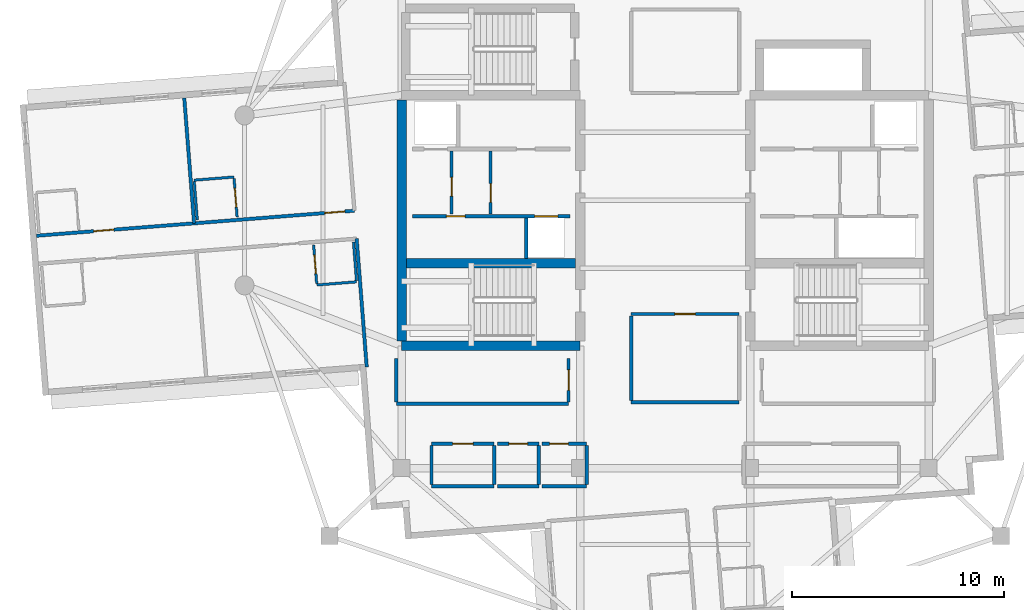
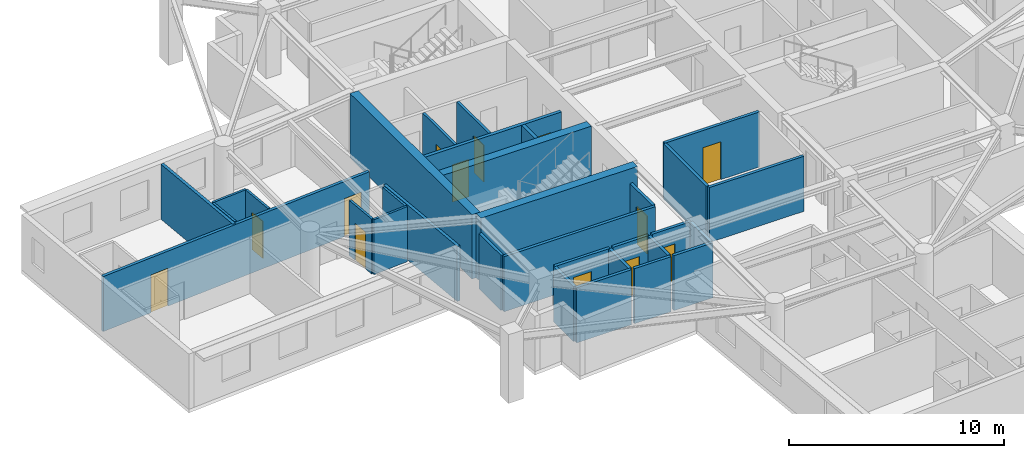
# One storey, part 4 of 13: 32 walls, 13 doors, 13 openings.
"""IFC4 building model written with IfcOpenShell, lengths in metres."""

from ifc_helpers import new_model, si_unit, direction, frame, frame_2d, origin, place, context, subcontext, project, spatial, rectangle, extrude, material, layer, layer_set, type_object, element, fill, save


model = new_model("IFC4")

# Units and contexts
model_context = context("Model", 3, precision=1e-05, world=origin(), true_north=direction((0.0, 1.0)))
body_context = subcontext(model_context, "Body", "Model", "MODEL_VIEW")
ifc_project = project(units=[si_unit("LENGTHUNIT", "METRE"), si_unit("AREAUNIT", "SQUARE_METRE"), si_unit("VOLUMEUNIT", "CUBIC_METRE"), si_unit("PLANEANGLEUNIT", "RADIAN"), si_unit("MASSUNIT", "GRAM", prefix="KILO")], contexts=[model_context])

# Site, building, storey
site_placement = place(None, origin())
site = spatial("IfcSite", under=ifc_project, at=site_placement, CompositionType="ELEMENT")
building_placement = place(site_placement, origin())
building = spatial("IfcBuilding", under=site, at=building_placement, Name="Qingluan Cross Belvedere", CompositionType="ELEMENT")
storey_placement = place(building_placement, frame((0.0, 0.0, 285.0)))
storey = spatial("IfcBuildingStorey", under=building, at=storey_placement, Name="L71", CompositionType="ELEMENT", Elevation=285.0)

# Walls
ifc_material_1 = material(Name="Concrete C50", Category="concrete")
ifc_layer_1 = layer(ifc_material_1, 0.449951171875, Name="CoreShearWall_450")
ifc_layer_set_1 = layer_set([ifc_layer_1], Name="Concrete C50")
wall_type_1 = type_object("IfcWallType", Name="CoreShearWall_450", PredefinedType="SHEAR", material=ifc_layer_set_1)
wall_1_placement = place(storey_placement, frame((-12.39990234375, -6.85009765625, 0.0), z_axis=(0.0, 0.0, 1.0), x_axis=(1.0, 0.0, 0.0)))
element("IfcWall", 1, at=wall_1_placement, inside=storey, type_object=wall_type_1, Name="Split core W shear wall L71-S", PredefinedType="SHEAR", context=body_context, shape_type="SweptSolid", body=[
    extrude(rectangle(XDim=8.39990234375, YDim=0.449951171875, at=frame_2d((4.199951171875, 0.0))), origin(), (0.0, 0.0, 1.0), 3.64990234375),
])
wall_2_placement = place(storey_placement, frame((-12.39990234375, -6.6201171875, 0.0), z_axis=(0.0, 0.0, 1.0), x_axis=(0.0, 1.0, 0.0)))
element("IfcWall", 2, at=wall_2_placement, inside=storey, type_object=wall_type_1, Name="Split core W shear wall L71-W", PredefinedType="SHEAR", context=body_context, shape_type="SweptSolid", body=[
    extrude(rectangle(XDim=11.340087890625, YDim=0.449951171875, at=frame_2d((5.669921875, 0.0))), origin(), (0.0, 0.0, 1.0), 3.64990234375),
])
wall_3_placement = place(storey_placement, frame((-12.169921875, -2.9599609375, 0.0), z_axis=(0.0, 0.0, 1.0), x_axis=(1.0, 0.0, 0.0)))
element("IfcWall", 3, at=wall_3_placement, inside=storey, type_object=wall_type_1, Name="Split core W shear wall L71-M", PredefinedType="SHEAR", context=body_context, shape_type="SweptSolid", body=[
    extrude(rectangle(XDim=7.93994140625, YDim=0.449951171875, at=frame_2d((3.969970703125, 0.0))), origin(), (0.0, 0.0, 1.0), 3.64990234375),
])

# Wall, opening, door
ifc_material_2 = material(Name="Gypsum plasterboard on steel stud acoustic partition", Category="steel")
ifc_layer_2 = layer(ifc_material_2, 0.159912109375, Name="CorridorPartition_160")
ifc_layer_set_2 = layer_set([ifc_layer_2], Name="Gypsum plasterboard on steel stud acoustic partition")
wall_type_2 = type_object("IfcWallType", Name="CorridorPartition_160", PredefinedType="PARTITIONING", material=ifc_layer_set_2)
wall_4_placement = place(storey_placement, frame((-10.050048828125, -0.652099609375, 0.0), z_axis=(0.0, 0.0, 1.0), x_axis=(0.0, 1.0, 0.0)))
wall_4 = element("IfcWall", 4, at=wall_4_placement, inside=storey, type_object=wall_type_2, Name="Partition L71:wv", PredefinedType="PARTITIONING", context=body_context, shape_type="SweptSolid", body=[
    extrude(rectangle(XDim=2.962158203125, YDim=0.139892578125, at=frame_2d((1.48095703125, 0.0))), origin(), (0.0, 0.0, 1.0), 3.1201171875),
])
opening_1_placement = place(wall_4_placement, frame((0.85009765625, 0.0, 0.0)))
opening_1 = element("IfcOpeningElement", 5, at=opening_1_placement, cuts=wall_4, Name="Opening FD-B10", PredefinedType="OPENING", context=body_context, shape_type="SweptSolid", body=[
    extrude(rectangle(XDim=0.8798828125, YDim=2.10009765625, at=frame_2d((0.43994140625, 1.050048828125))), frame((0.0, 0.079833984375, 0.0), z_axis=(0.0, -1.0, 0.0), x_axis=(1.0, 0.0, 0.0)), (0.0, 0.0, 1.0), 0.159912109375),
])
ifc_material_3 = material(Name="Steel Class B service fire door", Category="steel")
door_type_1 = type_object("IfcDoorType", Name="RiserServiceFireDoor_FDB", OperationType="NOTDEFINED", PredefinedType="DOOR", material=ifc_material_3)
door_1_placement = place(opening_1_placement, origin())
door_1 = element("IfcDoor", 6, at=door_1_placement, inside=storey, type_object=door_type_1, Name="Service closet inner door L71", OperationType="SINGLE_SWING_RIGHT", OverallHeight=2.10009765625, OverallWidth=0.8798828125, PredefinedType="DOOR", context=body_context, shape_type="SweptSolid", body=[
    extrude(rectangle(XDim=0.8798828125, YDim=2.10009765625, at=frame_2d((0.43994140625, 1.050048828125))), frame((0.0, 0.02490234375, 0.0), z_axis=(0.0, -1.0, 0.0), x_axis=(1.0, 0.0, 0.0)), (0.0, 0.0, 1.0), 0.050048828125),
])
fill(opening_1, door_1)

# Wall
wall_5_placement = place(storey_placement, frame((-11.0, -13.449951171875, 0.0), z_axis=(0.0, 0.0, 1.0), x_axis=(1.0, 0.0, 0.0)))
element("IfcWall", 7, at=wall_5_placement, inside=storey, type_object=wall_type_2, Name="Partition L71:q_sw_occ:S", PredefinedType="PARTITIONING", context=body_context, shape_type="SweptSolid", body=[
    extrude(rectangle(XDim=2.949951171875, YDim=0.159912109375, at=frame_2d((1.47509765625, 0.0))), origin(), (0.0, 0.0, 1.0), 3.1201171875),
])

# Wall, opening, door
wall_6_placement = place(storey_placement, frame((-11.0, -11.449951171875, 0.0), z_axis=(0.0, 0.0, 1.0), x_axis=(1.0, 0.0, 0.0)))
wall_6 = element("IfcWall", 8, at=wall_6_placement, inside=storey, type_object=wall_type_2, Name="Partition L71:q_sw_occ:N", PredefinedType="PARTITIONING", context=body_context, shape_type="SweptSolid", body=[
    extrude(rectangle(XDim=2.949951171875, YDim=0.159912109375, at=frame_2d((1.47509765625, 0.0))), origin(), (0.0, 0.0, 1.0), 3.1201171875),
])
opening_2_placement = place(wall_6_placement, frame((0.9951171875, 0.0, 0.0)))
opening_2 = element("IfcOpeningElement", 9, at=opening_2_placement, cuts=wall_6, Name="Opening GD-10", PredefinedType="OPENING", context=body_context, shape_type="SweptSolid", body=[
    extrude(rectangle(XDim=0.9599609375, YDim=2.14990234375, at=frame_2d((0.47998046875, 1.074951171875))), frame((0.0, 0.08984375, 0.0), z_axis=(0.0, -1.0, 0.0), x_axis=(1.0, 0.0, 0.0)), (0.0, 0.0, 1.0), 0.179931640625),
])
ifc_material_4 = material(Name="Timber oak fire-rated acoustic guestroom door", Category="wood")
door_type_2 = type_object("IfcDoorType", Name="GuestEntryDoor_FD60", OperationType="NOTDEFINED", PredefinedType="DOOR", material=ifc_material_4)
door_2_placement = place(opening_2_placement, origin())
door_2 = element("IfcDoor", 10, at=door_2_placement, inside=storey, type_object=door_type_2, Name="Summit private office L71 door", OperationType="SINGLE_SWING_LEFT", OverallHeight=2.14990234375, OverallWidth=0.9599609375, PredefinedType="DOOR", context=body_context, shape_type="SweptSolid", body=[
    extrude(rectangle(XDim=0.9599609375, YDim=2.14990234375, at=frame_2d((0.47998046875, 1.074951171875))), frame((0.0, 0.02490234375, 0.0), z_axis=(0.0, -1.0, 0.0), x_axis=(1.0, 0.0, 0.0)), (0.0, 0.0, 1.0), 0.050048828125),
])
fill(opening_2, door_2)

# Walls
for number, where, z_axis, x_axis, name in (
    (11, (-11.0, -13.364990234375, 0.0), (0.0, 0.0, 1.0), (0.0, 1.0, 0.0), "Partition L71:q_sw_occ:W"),
    (12, (-8.050048828125, -13.364990234375, 0.0), (0.0, 0.0, 1.0), (0.0, 1.0, 0.0), "Partition L71:q_sw_occ:E"),
):
    element("IfcWall", number, at=place(storey_placement, frame(where, z_axis=z_axis, x_axis=x_axis)), inside=storey, type_object=wall_type_2, Name=name, PredefinedType="PARTITIONING", context=body_context, shape_type="SweptSolid", body=[
        extrude(rectangle(XDim=1.830078125, YDim=0.159912109375, at=frame_2d((0.9150390625, 0.0))), origin(), (0.0, 0.0, 1.0), 3.1201171875),
    ])
wall_7_placement = place(storey_placement, frame((-7.889892578125, -13.449951171875, 0.0), z_axis=(0.0, 0.0, 1.0), x_axis=(1.0, 0.0, 0.0)))
element("IfcWall", 13, at=wall_7_placement, inside=storey, type_object=wall_type_2, Name="Partition L71:hk_linen:S", PredefinedType="PARTITIONING", context=body_context, shape_type="SweptSolid", body=[
    extrude(rectangle(XDim=1.93994140625, YDim=0.159912109375, at=frame_2d((0.969970703125, 0.0))), origin(), (0.0, 0.0, 1.0), 3.1201171875),
])

# Wall, opening, door
wall_8_placement = place(storey_placement, frame((-7.889892578125, -11.449951171875, 0.0), z_axis=(0.0, 0.0, 1.0), x_axis=(1.0, 0.0, 0.0)))
wall_8 = element("IfcWall", 14, at=wall_8_placement, inside=storey, type_object=wall_type_2, Name="Partition L71:hk_linen:N", PredefinedType="PARTITIONING", context=body_context, shape_type="SweptSolid", body=[
    extrude(rectangle(XDim=1.93994140625, YDim=0.159912109375, at=frame_2d((0.969970703125, 0.0))), origin(), (0.0, 0.0, 1.0), 3.1201171875),
])
opening_3_placement = place(wall_8_placement, frame((0.530029296875, 0.0, 0.0)))
opening_3 = element("IfcOpeningElement", 15, at=opening_3_placement, cuts=wall_8, Name="Opening FD-B10", PredefinedType="OPENING", context=body_context, shape_type="SweptSolid", body=[
    extrude(rectangle(XDim=0.8798828125, YDim=2.10009765625, at=frame_2d((0.43994140625, 1.050048828125))), frame((0.0, 0.08984375, 0.0), z_axis=(0.0, -1.0, 0.0), x_axis=(1.0, 0.0, 0.0)), (0.0, 0.0, 1.0), 0.179931640625),
])
door_3_placement = place(opening_3_placement, origin())
door_3 = element("IfcDoor", 16, at=door_3_placement, inside=storey, type_object=door_type_1, Name="Housekeeping and linen store L71 door", OperationType="SINGLE_SWING_RIGHT", OverallHeight=2.10009765625, OverallWidth=0.8798828125, PredefinedType="DOOR", context=body_context, shape_type="SweptSolid", body=[
    extrude(rectangle(XDim=0.8798828125, YDim=2.10009765625, at=frame_2d((0.43994140625, 1.050048828125))), frame((0.0, 0.02490234375, 0.0), z_axis=(0.0, -1.0, 0.0), x_axis=(1.0, 0.0, 0.0)), (0.0, 0.0, 1.0), 0.050048828125),
])
fill(opening_3, door_3)

# Walls
wall_9_placement = place(storey_placement, frame((-5.949951171875, -13.364990234375, 0.0), z_axis=(0.0, 0.0, 1.0), x_axis=(0.0, 1.0, 0.0)))
element("IfcWall", 17, at=wall_9_placement, inside=storey, type_object=wall_type_2, Name="Partition L71:hk_linen:E", PredefinedType="PARTITIONING", context=body_context, shape_type="SweptSolid", body=[
    extrude(rectangle(XDim=1.830078125, YDim=0.159912109375, at=frame_2d((0.9150390625, 0.0))), origin(), (0.0, 0.0, 1.0), 3.1201171875),
])
wall_10_placement = place(storey_placement, frame((-5.7900390625, -13.449951171875, 0.0), z_axis=(0.0, 0.0, 1.0), x_axis=(1.0, 0.0, 0.0)))
element("IfcWall", 18, at=wall_10_placement, inside=storey, type_object=wall_type_2, Name="Partition L71:floor_acc_wc:S", PredefinedType="PARTITIONING", context=body_context, shape_type="SweptSolid", body=[
    extrude(rectangle(XDim=2.090087890625, YDim=0.159912109375, at=frame_2d((1.044921875, 0.0))), origin(), (0.0, 0.0, 1.0), 3.1201171875),
])

# Wall, opening, door
wall_11_placement = place(storey_placement, frame((-5.7900390625, -11.449951171875, 0.0), z_axis=(0.0, 0.0, 1.0), x_axis=(1.0, 0.0, 0.0)))
wall_11 = element("IfcWall", 19, at=wall_11_placement, inside=storey, type_object=wall_type_2, Name="Partition L71:floor_acc_wc:N", PredefinedType="PARTITIONING", context=body_context, shape_type="SweptSolid", body=[
    extrude(rectangle(XDim=2.090087890625, YDim=0.159912109375, at=frame_2d((1.044921875, 0.0))), origin(), (0.0, 0.0, 1.0), 3.1201171875),
])
opening_4_placement = place(wall_11_placement, frame((0.35009765625, 0.0, 0.0)))
opening_4 = element("IfcOpeningElement", 20, at=opening_4_placement, cuts=wall_11, Name="Opening BD-08", PredefinedType="OPENING", context=body_context, shape_type="SweptSolid", body=[
    extrude(rectangle(XDim=0.8798828125, YDim=2.14990234375, at=frame_2d((0.43994140625, 1.074951171875))), frame((0.0, 0.08984375, 0.0), z_axis=(0.0, -1.0, 0.0), x_axis=(1.0, 0.0, 0.0)), (0.0, 0.0, 1.0), 0.179931640625),
])
ifc_material_5 = material(Name="Moisture-sealed timber accessible WC door", Category="wood")
door_type_3 = type_object("IfcDoorType", Name="AccessibleWCDoor_880", OperationType="NOTDEFINED", PredefinedType="DOOR", material=ifc_material_5)
door_4_placement = place(opening_4_placement, origin())
door_4 = element("IfcDoor", 21, at=door_4_placement, inside=storey, type_object=door_type_3, Name="Accessible guest washroom L71 door", OperationType="SINGLE_SWING_LEFT", OverallHeight=2.14990234375, OverallWidth=0.8798828125, PredefinedType="DOOR", context=body_context, shape_type="SweptSolid", body=[
    extrude(rectangle(XDim=0.8798828125, YDim=2.14990234375, at=frame_2d((0.43994140625, 1.074951171875))), frame((0.0, 0.02490234375, 0.0), z_axis=(0.0, -1.0, 0.0), x_axis=(1.0, 0.0, 0.0)), (0.0, 0.0, 1.0), 0.050048828125),
])
fill(opening_4, door_4)

# Walls
wall_12_placement = place(storey_placement, frame((-3.699951171875, -13.364990234375, 0.0), z_axis=(0.0, 0.0, 1.0), x_axis=(0.0, 1.0, 0.0)))
element("IfcWall", 22, at=wall_12_placement, inside=storey, type_object=wall_type_2, Name="Partition L71:floor_acc_wc:E", PredefinedType="PARTITIONING", context=body_context, shape_type="SweptSolid", body=[
    extrude(rectangle(XDim=1.830078125, YDim=0.159912109375, at=frame_2d((0.9150390625, 0.0))), origin(), (0.0, 0.0, 1.0), 3.1201171875),
])
wall_13_placement = place(storey_placement, frame((-1.60009765625, -9.5, 0.0), z_axis=(0.0, 0.0, 1.0), x_axis=(1.0, 0.0, 0.0)))
element("IfcWall", 23, at=wall_13_placement, inside=storey, type_object=wall_type_2, Name="Partition L71:sky_south_alcove:S", PredefinedType="PARTITIONING", context=body_context, shape_type="SweptSolid", body=[
    extrude(rectangle(XDim=5.080078125, YDim=0.159912109375, at=frame_2d((2.5400390625, 0.0))), origin(), (0.0, 0.0, 1.0), 3.1201171875),
])

# Wall, opening, door
wall_14_placement = place(storey_placement, frame((-1.60009765625, -5.35009765625, 0.0), z_axis=(0.0, 0.0, 1.0), x_axis=(1.0, 0.0, 0.0)))
wall_14 = element("IfcWall", 24, at=wall_14_placement, inside=storey, type_object=wall_type_2, Name="Partition L71:sky_south_alcove:N", PredefinedType="PARTITIONING", context=body_context, shape_type="SweptSolid", body=[
    extrude(rectangle(XDim=5.080078125, YDim=0.159912109375, at=frame_2d((2.5400390625, 0.0))), origin(), (0.0, 0.0, 1.0), 3.1201171875),
])
opening_5_placement = place(wall_14_placement, frame((2.06005859375, 0.0, 0.0)))
opening_5 = element("IfcOpeningElement", 25, at=opening_5_placement, cuts=wall_14, Name="Opening GD-10", PredefinedType="OPENING", context=body_context, shape_type="SweptSolid", body=[
    extrude(rectangle(XDim=0.9599609375, YDim=2.14990234375, at=frame_2d((0.47998046875, 1.074951171875))), frame((0.0, 0.08984375, 0.0), z_axis=(0.0, -1.0, 0.0), x_axis=(1.0, 0.0, 0.0)), (0.0, 0.0, 1.0), 0.179931640625),
])
door_5_placement = place(opening_5_placement, origin())
door_5 = element("IfcDoor", 26, at=door_5_placement, inside=storey, type_object=door_type_2, Name="South horizon reading alcove L71 door", OperationType="SINGLE_SWING_LEFT", OverallHeight=2.14990234375, OverallWidth=0.9599609375, PredefinedType="DOOR", context=body_context, shape_type="SweptSolid", body=[
    extrude(rectangle(XDim=0.9599609375, YDim=2.14990234375, at=frame_2d((0.47998046875, 1.074951171875))), frame((0.0, 0.02490234375, 0.0), z_axis=(0.0, -1.0, 0.0), x_axis=(1.0, 0.0, 0.0)), (0.0, 0.0, 1.0), 0.050048828125),
])
fill(opening_5, door_5)

# Walls
wall_15_placement = place(storey_placement, frame((-1.60009765625, -9.4150390625, 0.0), z_axis=(0.0, 0.0, 1.0), x_axis=(0.0, 1.0, 0.0)))
element("IfcWall", 27, at=wall_15_placement, inside=storey, type_object=wall_type_2, Name="Partition L71:sky_south_alcove:W", PredefinedType="PARTITIONING", context=body_context, shape_type="SweptSolid", body=[
    extrude(rectangle(XDim=3.97998046875, YDim=0.159912109375, at=frame_2d((1.989990234375, 0.0))), origin(), (0.0, 0.0, 1.0), 3.1201171875),
])
wall_16_placement = place(storey_placement, frame((-12.64990234375, -9.580078125, 0.0), z_axis=(0.0, 0.0, 1.0), x_axis=(1.0, 0.0, 0.0)))
element("IfcWall", 28, at=wall_16_placement, inside=storey, type_object=wall_type_2, Name="Partition L71:rec_st4_w:S", PredefinedType="PARTITIONING", context=body_context, shape_type="SweptSolid", body=[
    extrude(rectangle(XDim=8.099853515625, YDim=0.159912109375, at=frame_2d((4.0498046875, 0.0))), origin(), (0.0, 0.0, 1.0), 3.1201171875),
])
wall_17_placement = place(storey_placement, frame((-12.64990234375, -9.4951171875, 0.0), z_axis=(0.0, 0.0, 1.0), x_axis=(0.0, 1.0, 0.0)))
element("IfcWall", 29, at=wall_17_placement, inside=storey, type_object=wall_type_2, Name="Partition L71:rec_st4_w:W", PredefinedType="PARTITIONING", context=body_context, shape_type="SweptSolid", body=[
    extrude(rectangle(XDim=2.06005859375, YDim=0.159912109375, at=frame_2d((1.030029296875, 0.0))), origin(), (0.0, 0.0, 1.0), 3.1201171875),
])

# Wall, opening, door
wall_18_placement = place(storey_placement, frame((-4.550048828125, -9.4951171875, 0.0), z_axis=(0.0, 0.0, 1.0), x_axis=(0.0, 1.0, 0.0)))
wall_18 = element("IfcWall", 30, at=wall_18_placement, inside=storey, type_object=wall_type_2, Name="Partition L71:rec_st4_w:E", PredefinedType="PARTITIONING", context=body_context, shape_type="SweptSolid", body=[
    extrude(rectangle(XDim=2.06005859375, YDim=0.159912109375, at=frame_2d((1.030029296875, 0.0))), origin(), (0.0, 0.0, 1.0), 3.1201171875),
])
opening_6_placement = place(wall_18_placement, frame((0.550048828125, 0.0, 0.0)))
opening_6 = element("IfcOpeningElement", 31, at=opening_6_placement, cuts=wall_18, Name="Opening GD-10", PredefinedType="OPENING", context=body_context, shape_type="SweptSolid", body=[
    extrude(rectangle(XDim=0.9599609375, YDim=2.14990234375, at=frame_2d((0.47998046875, 1.074951171875))), frame((0.0, 0.08984375, 0.0), z_axis=(0.0, -1.0, 0.0), x_axis=(1.0, 0.0, 0.0)), (0.0, 0.0, 1.0), 0.179931640625),
])
door_6_placement = place(opening_6_placement, origin())
door_6 = element("IfcDoor", 32, at=door_6_placement, inside=storey, type_object=door_type_2, Name="Southwest club reading room L71 door", OperationType="SINGLE_SWING_LEFT", OverallHeight=2.14990234375, OverallWidth=0.9599609375, PredefinedType="DOOR", context=body_context, shape_type="SweptSolid", body=[
    extrude(rectangle(XDim=0.9599609375, YDim=2.14990234375, at=frame_2d((0.47998046875, 1.074951171875))), frame((0.0, 0.02490234375, 0.0), z_axis=(0.0, -1.0, 0.0), x_axis=(1.0, 0.0, 0.0)), (0.0, 0.0, 1.0), 0.050048828125),
])
fill(opening_6, door_6)

# Wall, openings, doors
wall_19_placement = place(storey_placement, frame((-14.626708984375, -0.489013671875, 0.0), z_axis=(0.0, 0.0, 1.0), x_axis=(-0.996916488934, -0.078469829183, 0.0)))
wall_19 = element("IfcWall", 33, at=wall_19_placement, inside=storey, type_object=wall_type_2, Name="Partition L71:W:c0", PredefinedType="PARTITIONING", context=body_context, shape_type="SweptSolid", body=[
    extrude(rectangle(XDim=15.011962890625, YDim=0.159912109375, at=frame_2d((7.505859375, 0.0))), origin(), (0.0, 0.0, 1.0), 3.1201171875),
])
opening_7_placement = place(wall_19_placement, frame((0.449951171875, 0.0, 0.0)))
opening_7 = element("IfcOpeningElement", 34, at=opening_7_placement, cuts=wall_19, Name="Opening GD-10", PredefinedType="OPENING", context=body_context, shape_type="SweptSolid", body=[
    extrude(rectangle(XDim=0.9599609375, YDim=2.14990234375, at=frame_2d((0.47998046875, 1.074951171875))), frame((0.0, 0.08984375, 0.0), z_axis=(0.0, -1.0, 0.0), x_axis=(1.0, 0.0, 0.0)), (0.0, 0.0, 1.0), 0.179931640625),
])
opening_8_placement = place(wall_19_placement, frame((11.35302734375, 0.0, 0.0)))
opening_8 = element("IfcOpeningElement", 35, at=opening_8_placement, cuts=wall_19, Name="Opening GD-10", PredefinedType="OPENING", context=body_context, shape_type="SweptSolid", body=[
    extrude(rectangle(XDim=0.9599609375, YDim=2.14990234375, at=frame_2d((0.47998046875, 1.074951171875))), frame((0.0, 0.08984375, 0.0), z_axis=(0.0, -1.0, 0.0), x_axis=(1.0, 0.0, 0.0)), (0.0, 0.0, 1.0), 0.179931640625),
])
door_7_placement = place(opening_7_placement, origin())
door_7 = element("IfcDoor", 36, at=door_7_placement, inside=storey, type_object=door_type_2, Name="Guest entry fire door 7105", OperationType="SINGLE_SWING_RIGHT", OverallHeight=2.14990234375, OverallWidth=0.9599609375, PredefinedType="DOOR", context=body_context, shape_type="SweptSolid", body=[
    extrude(rectangle(XDim=0.9599609375, YDim=2.14990234375, at=frame_2d((0.47998046875, 1.074951171875))), frame((0.0, 0.02490234375, 0.0), z_axis=(0.0, -1.0, 0.0), x_axis=(1.0, 0.0, 0.0)), (0.0, 0.0, 1.0), 0.050048828125),
])
fill(opening_7, door_7)
door_8_placement = place(opening_8_placement, origin())
door_8 = element("IfcDoor", 37, at=door_8_placement, inside=storey, type_object=door_type_2, Name="Guest entry fire door 7106", OperationType="SINGLE_SWING_RIGHT", OverallHeight=2.14990234375, OverallWidth=0.9599609375, PredefinedType="DOOR", context=body_context, shape_type="SweptSolid", body=[
    extrude(rectangle(XDim=0.9599609375, YDim=2.14990234375, at=frame_2d((0.47998046875, 1.074951171875))), frame((0.0, 0.02490234375, 0.0), z_axis=(0.0, -1.0, 0.0), x_axis=(1.0, 0.0, 0.0)), (0.0, 0.0, 1.0), 0.050048828125),
])
fill(opening_8, door_8)

# Walls
wall_20_placement = place(storey_placement, frame((-22.17138671875, -1.0830078125, 0.0), z_axis=(0.0, 0.0, 1.0), x_axis=(-0.078461644215, 0.99691713316, 0.0)))
element("IfcWall", 38, at=wall_20_placement, inside=storey, type_object=wall_type_2, Name="Partition L71:W:d0_0", PredefinedType="PARTITIONING", context=body_context, shape_type="SweptSolid", body=[
    extrude(rectangle(XDim=5.912109375, YDim=0.159912109375, at=frame_2d((2.9560546875, 0.0))), origin(), (0.0, 0.0, 1.0), 3.1201171875),
])
wall_21_placement = place(storey_placement, frame((-14.523193359375, -1.804931640625, 0.0), z_axis=(0.0, 0.0, 1.0), x_axis=(0.078477015216, -0.996915923277, 0.0)))
element("IfcWall", 39, at=wall_21_placement, inside=storey, type_object=wall_type_2, Name="Partition L71:W:s1", PredefinedType="PARTITIONING", context=body_context, shape_type="SweptSolid", body=[
    extrude(rectangle(XDim=6.060302734375, YDim=0.159912109375, at=frame_2d((3.0302734375, 0.0))), origin(), (0.0, 0.0, 1.0), 3.1201171875),
])

# Wall, opening, door
ifc_material_6 = material(Name="Moisture-resistant gypsum board lining")
ifc_layer_3 = layer(ifc_material_6, 0.1201171875, Name="EnsuiteWetPartition_120")
ifc_layer_set_3 = layer_set([ifc_layer_3], Name="Moisture-resistant gypsum board lining")
wall_type_3 = type_object("IfcWallType", Name="EnsuiteWetPartition_120", PredefinedType="PARTITIONING", material=ifc_layer_set_3)
wall_22_placement = place(storey_placement, frame((-20.148681640625, -0.783203125, 0.0), z_axis=(0.0, 0.0, 1.0), x_axis=(-0.078481444107, 0.996915574626, 0.0)))
wall_22 = element("IfcWall", 40, at=wall_22_placement, inside=storey, type_object=wall_type_3, Name="Partition L71:W:bs0_0", PredefinedType="PARTITIONING", context=body_context, shape_type="SweptSolid", body=[
    extrude(rectangle(XDim=1.81982421875, YDim=0.1201171875, at=frame_2d((0.909912109375, 0.0))), origin(), (0.0, 0.0, 1.0), 3.1201171875),
])
opening_9_placement = place(wall_22_placement, frame((0.469970703125, 0.0, 0.0)))
opening_9 = element("IfcOpeningElement", 41, at=opening_9_placement, cuts=wall_22, Name="Opening BD-09", PredefinedType="OPENING", context=body_context, shape_type="SweptSolid", body=[
    extrude(rectangle(XDim=0.8798828125, YDim=2.10009765625, at=frame_2d((0.43994140625, 1.050048828125))), frame((0.0, 0.070068359375, 0.0), z_axis=(0.0, -1.0, 0.0), x_axis=(1.0, 0.0, 0.0)), (0.0, 0.0, 1.0), 0.14013671875),
])
ifc_material_7 = material(Name="Moisture-sealed timber en-suite door", Category="wood")
door_type_4 = type_object("IfcDoorType", Name="BathroomDoor_880", OperationType="NOTDEFINED", PredefinedType="DOOR", material=ifc_material_7)
door_9_placement = place(opening_9_placement, origin())
door_9 = element("IfcDoor", 42, at=door_9_placement, inside=storey, type_object=door_type_4, Name="Bathroom door 7105", OperationType="SINGLE_SWING_LEFT", OverallHeight=2.10009765625, OverallWidth=0.8798828125, PredefinedType="DOOR", context=body_context, shape_type="SweptSolid", body=[
    extrude(rectangle(XDim=0.8798828125, YDim=2.10009765625, at=frame_2d((0.43994140625, 1.050048828125))), frame((0.0, 0.02490234375, 0.0), z_axis=(0.0, -1.0, 0.0), x_axis=(1.0, 0.0, 0.0)), (0.0, 0.0, 1.0), 0.050048828125),
])
fill(opening_9, door_9)

# Walls
wall_23_placement = place(storey_placement, frame((-22.02294921875, -0.930908203125, 0.0), z_axis=(0.0, 0.0, 1.0), x_axis=(-0.0784709492, 0.996916400774, 0.0)))
element("IfcWall", 43, at=wall_23_placement, inside=storey, type_object=wall_type_3, Name="Partition L71:W:bw0_0", PredefinedType="PARTITIONING", context=body_context, shape_type="SweptSolid", body=[
    extrude(rectangle(XDim=1.820068359375, YDim=0.1201171875, at=frame_2d((0.91015625, 0.0))), origin(), (0.0, 0.0, 1.0), 3.1201171875),
])
wall_24_placement = place(storey_placement, frame((-20.296630859375, 1.095947265625, 0.0), z_axis=(0.0, 0.0, 1.0), x_axis=(-0.996919293781, -0.07843418698, 0.0)))
element("IfcWall", 44, at=wall_24_placement, inside=storey, type_object=wall_type_3, Name="Partition L71:W:bn0_0", PredefinedType="PARTITIONING", context=body_context, shape_type="SweptSolid", body=[
    extrude(rectangle(XDim=1.880126953125, YDim=0.1201171875, at=frame_2d((0.93994140625, 0.0))), origin(), (0.0, 0.0, 1.0), 3.1201171875),
])

# Wall, opening, door
wall_25_placement = place(storey_placement, frame((-16.403076171875, -3.919189453125, 0.0), z_axis=(0.0, 0.0, 1.0), x_axis=(-0.0784709492, 0.996916400774, 0.0)))
wall_25 = element("IfcWall", 45, at=wall_25_placement, inside=storey, type_object=wall_type_3, Name="Partition L71:W:bs1_0", PredefinedType="PARTITIONING", context=body_context, shape_type="SweptSolid", body=[
    extrude(rectangle(XDim=1.820068359375, YDim=0.1201171875, at=frame_2d((0.91015625, 0.0))), origin(), (0.0, 0.0, 1.0), 3.1201171875),
])
opening_10_placement = place(wall_25_placement, frame((0.469970703125, 0.0, 0.0)))
opening_10 = element("IfcOpeningElement", 46, at=opening_10_placement, cuts=wall_25, Name="Opening BD-09", PredefinedType="OPENING", context=body_context, shape_type="SweptSolid", body=[
    extrude(rectangle(XDim=0.8798828125, YDim=2.10009765625, at=frame_2d((0.43994140625, 1.050048828125))), frame((0.0, 0.070068359375, 0.0), z_axis=(0.0, -1.0, 0.0), x_axis=(1.0, 0.0, 0.0)), (0.0, 0.0, 1.0), 0.14013671875),
])
door_10_placement = place(opening_10_placement, origin())
door_10 = element("IfcDoor", 47, at=door_10_placement, inside=storey, type_object=door_type_4, Name="Bathroom door 7107", OperationType="SINGLE_SWING_LEFT", OverallHeight=2.10009765625, OverallWidth=0.8798828125, PredefinedType="DOOR", context=body_context, shape_type="SweptSolid", body=[
    extrude(rectangle(XDim=0.8798828125, YDim=2.10009765625, at=frame_2d((0.43994140625, 1.050048828125))), frame((0.0, 0.02490234375, 0.0), z_axis=(0.0, -1.0, 0.0), x_axis=(1.0, 0.0, 0.0)), (0.0, 0.0, 1.0), 0.050048828125),
])
fill(opening_10, door_10)

# Walls
wall_26_placement = place(storey_placement, frame((-14.52880859375, -3.771484375, 0.0), z_axis=(0.0, 0.0, 1.0), x_axis=(-0.078481444107, 0.996915574626, 0.0)))
element("IfcWall", 48, at=wall_26_placement, inside=storey, type_object=wall_type_3, Name="Partition L71:W:bw1_0", PredefinedType="PARTITIONING", context=body_context, shape_type="SweptSolid", body=[
    extrude(rectangle(XDim=1.81982421875, YDim=0.1201171875, at=frame_2d((0.909912109375, 0.0))), origin(), (0.0, 0.0, 1.0), 3.1201171875),
])
wall_27_placement = place(storey_placement, frame((-14.523681640625, -3.836181640625, 0.0), z_axis=(0.0, 0.0, 1.0), x_axis=(-0.996909131608, -0.078563244057, 0.0)))
element("IfcWall", 49, at=wall_27_placement, inside=storey, type_object=wall_type_3, Name="Partition L71:W:bc1_0", PredefinedType="PARTITIONING", context=body_context, shape_type="SweptSolid", body=[
    extrude(rectangle(XDim=1.880126953125, YDim=0.1201171875, at=frame_2d((0.93994140625, 0.0))), origin(), (0.0, 0.0, 1.0), 3.1201171875),
])

# Wall, openings, doors
ifc_material_8 = material(Name="Concrete C40", Category="concrete")
ifc_layer_4 = layer(ifc_material_8, 0.219970703125, Name="ShaftEnclosureWall_250")
ifc_layer_set_4 = layer_set([ifc_layer_4], Name="Concrete C40")
wall_type_4 = type_object("IfcWallType", Name="ShaftEnclosureWall_250", PredefinedType="SOLIDWALL", material=ifc_layer_set_4)
wall_28_placement = place(storey_placement, frame((-11.89990234375, -0.75, 0.0), z_axis=(0.0, 0.0, 1.0), x_axis=(1.0, 0.0, 0.0)))
wall_28 = element("IfcWall", 50, at=wall_28_placement, inside=storey, type_object=wall_type_4, Name="Core-W mid hoistway wall L71", PredefinedType="SOLIDWALL", context=body_context, shape_type="SweptSolid", body=[
    extrude(rectangle(XDim=7.419921875, YDim=0.179931640625, at=frame_2d((3.7099609375, 0.0))), origin(), (0.0, 0.0, 1.0), 3.1201171875),
])
opening_11_placement = place(wall_28_placement, frame((5.75, 0.0, 0.0)))
opening_11 = element("IfcOpeningElement", 51, at=opening_11_placement, cuts=wall_28, Name="Opening LD-11", PredefinedType="OPENING", context=body_context, shape_type="SweptSolid", body=[
    extrude(rectangle(XDim=1.10009765625, YDim=2.14990234375, at=frame_2d((0.550048828125, 1.074951171875))), frame((0.0, 0.099853515625, 0.0), z_axis=(0.0, -1.0, 0.0), x_axis=(1.0, 0.0, 0.0)), (0.0, 0.0, 1.0), 0.199951171875),
])
opening_12_placement = place(wall_28_placement, frame((1.60009765625, 0.0, 0.0)))
opening_12 = element("IfcOpeningElement", 52, at=opening_12_placement, cuts=wall_28, Name="Opening FD-B10", PredefinedType="OPENING", context=body_context, shape_type="SweptSolid", body=[
    extrude(rectangle(XDim=0.8798828125, YDim=2.10009765625, at=frame_2d((0.43994140625, 1.050048828125))), frame((0.0, 0.099853515625, 0.0), z_axis=(0.0, -1.0, 0.0), x_axis=(1.0, 0.0, 0.0)), (0.0, 0.0, 1.0), 0.199951171875),
])
ifc_material_9 = material(Name="Brushed stainless steel centre-opening lift landing door", Category="steel")
door_type_5 = type_object("IfcDoorType", Name="LiftLandingSlidingDoor_1100", OperationType="DOUBLE_DOOR_SLIDING", PredefinedType="DOOR", material=ifc_material_9)
door_11_placement = place(opening_11_placement, origin())
door_11 = element("IfcDoor", 53, at=door_11_placement, inside=storey, type_object=door_type_5, Name="Lift landing sliding door LP8 L71", OperationType="DOUBLE_DOOR_SLIDING", OverallHeight=2.14990234375, OverallWidth=1.10009765625, PredefinedType="DOOR", context=body_context, shape_type="SweptSolid", body=[
    extrude(rectangle(XDim=1.10009765625, YDim=2.14990234375, at=frame_2d((0.550048828125, 1.074951171875))), frame((0.0, 0.02490234375, 0.0), z_axis=(0.0, -1.0, 0.0), x_axis=(1.0, 0.0, 0.0)), (0.0, 0.0, 1.0), 0.050048828125),
])
fill(opening_11, door_11)
door_12_placement = place(opening_12_placement, origin())
door_12 = element("IfcDoor", 54, at=door_12_placement, inside=storey, type_object=door_type_1, Name="Upper-zone electrical room door L71", OperationType="SINGLE_SWING_RIGHT", OverallHeight=2.10009765625, OverallWidth=0.8798828125, PredefinedType="DOOR", context=body_context, shape_type="SweptSolid", body=[
    extrude(rectangle(XDim=0.8798828125, YDim=2.10009765625, at=frame_2d((0.43994140625, 1.050048828125))), frame((0.0, 0.02490234375, 0.0), z_axis=(0.0, -1.0, 0.0), x_axis=(1.0, 0.0, 0.0)), (0.0, 0.0, 1.0), 0.050048828125),
])
fill(opening_12, door_12)

# Wall
wall_29_placement = place(storey_placement, frame((-6.5400390625, -2.72998046875, 0.0), z_axis=(0.0, 0.0, 1.0), x_axis=(0.0, 1.0, 0.0)))
element("IfcWall", 55, at=wall_29_placement, inside=storey, type_object=wall_type_4, Name="Hoistway enclosure divider LP8W L71", PredefinedType="SOLIDWALL", context=body_context, shape_type="SweptSolid", body=[
    extrude(rectangle(XDim=1.889892578125, YDim=0.179931640625, at=frame_2d((0.94482421875, 0.0))), origin(), (0.0, 0.0, 1.0), 3.1201171875),
])

# Wall, opening, door
wall_30_placement = place(storey_placement, frame((-8.219970703125, -0.64990234375, 0.0), z_axis=(0.0, 0.0, 1.0), x_axis=(0.0, 1.0, 0.0)))
wall_30 = element("IfcWall", 56, at=wall_30_placement, inside=storey, type_object=wall_type_4, Name="Core-W service corridor wall L71", PredefinedType="SOLIDWALL", context=body_context, shape_type="SweptSolid", body=[
    extrude(rectangle(XDim=2.9599609375, YDim=0.139892578125, at=frame_2d((1.47998046875, 0.0))), origin(), (0.0, 0.0, 1.0), 3.1201171875),
])
opening_13_placement = place(wall_30_placement, frame((0.550048828125, 0.0, 0.0)))
opening_13 = element("IfcOpeningElement", 57, at=opening_13_placement, cuts=wall_30, Name="Opening FD-B10", PredefinedType="OPENING", context=body_context, shape_type="SweptSolid", body=[
    extrude(rectangle(XDim=0.8798828125, YDim=2.10009765625, at=frame_2d((0.43994140625, 1.050048828125))), frame((0.0, 0.079833984375, 0.0), z_axis=(0.0, -1.0, 0.0), x_axis=(1.0, 0.0, 0.0)), (0.0, 0.0, 1.0), 0.159912109375),
])
door_13_placement = place(opening_13_placement, origin())
door_13 = element("IfcDoor", 58, at=door_13_placement, inside=storey, type_object=door_type_1, Name="Core-W service room door L71", OperationType="SINGLE_SWING_RIGHT", OverallHeight=2.10009765625, OverallWidth=0.8798828125, PredefinedType="DOOR", context=body_context, shape_type="SweptSolid", body=[
    extrude(rectangle(XDim=0.8798828125, YDim=2.10009765625, at=frame_2d((0.43994140625, 1.050048828125))), frame((0.0, 0.02490234375, 0.0), z_axis=(0.0, -1.0, 0.0), x_axis=(1.0, 0.0, 0.0)), (0.0, 0.0, 1.0), 0.050048828125),
])
fill(opening_13, door_13)

save(model, "model.ifc")
